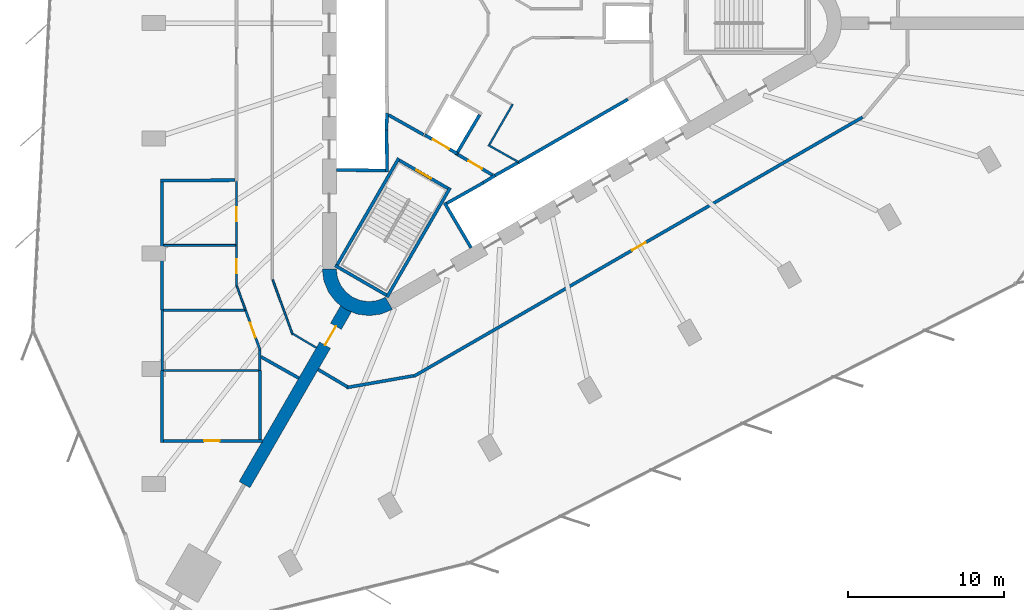
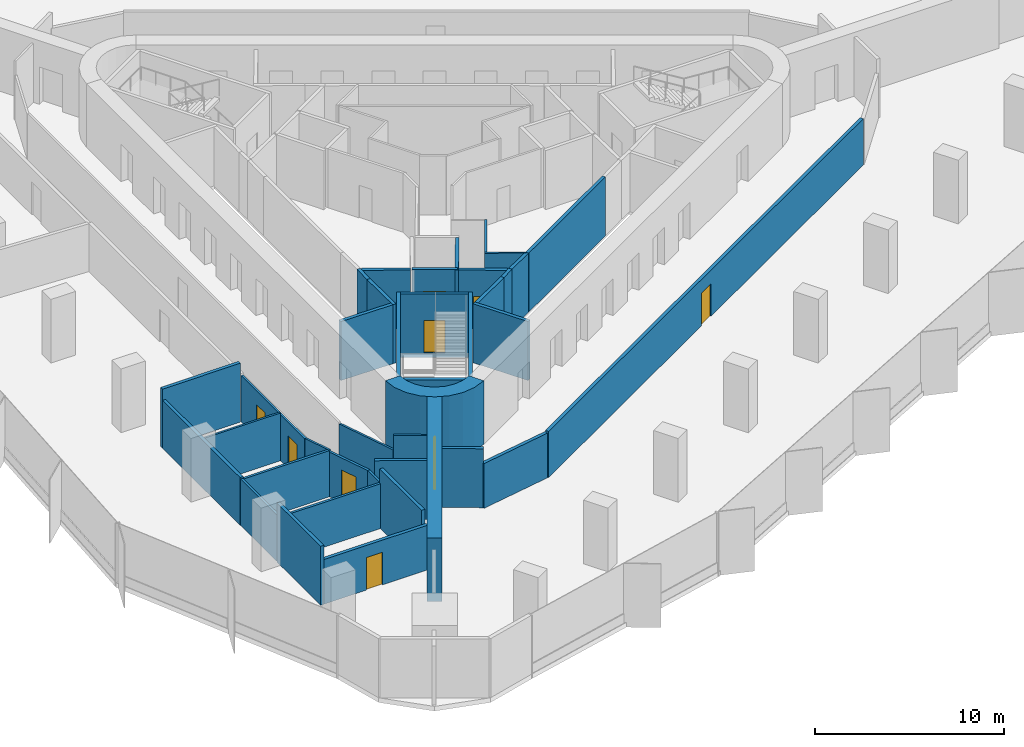
# One storey, part 9 of 14: 39 walls, 9 doors, 9 openings.
"""IFC4 building model written with IfcOpenShell, lengths in metres."""

from ifc_helpers import new_model, si_unit, direction, frame, frame_2d, origin, place, context, subcontext, project, spatial, polyline, rectangle, outline, extrude, material, layer, layer_set, type_object, element, fill, save


model = new_model("IFC4")

# Units and contexts
model_context = context("Model", 3, precision=1e-05, world=origin(), true_north=direction((0.0, 1.0)))
body_context = subcontext(model_context, "Body", "Model", "MODEL_VIEW")
ifc_project = project(units=[si_unit("LENGTHUNIT", "METRE"), si_unit("AREAUNIT", "SQUARE_METRE"), si_unit("VOLUMEUNIT", "CUBIC_METRE"), si_unit("PLANEANGLEUNIT", "RADIAN"), si_unit("MASSUNIT", "GRAM", prefix="KILO")], contexts=[model_context])

# Site, building, storey
site_placement = place(None, origin())
site = spatial("IfcSite", under=ifc_project, at=site_placement, CompositionType="ELEMENT")
building_placement = place(site_placement, origin())
building = spatial("IfcBuilding", under=site, at=building_placement, Name="Tanit Gate Tower", CompositionType="ELEMENT")
storey_placement = place(building_placement, frame((0.0, 0.0, 111.10009765625)))
storey = spatial("IfcBuildingStorey", under=building, at=storey_placement, Name="L23", CompositionType="ELEMENT", Elevation=111.10009765625)

# Wall, opening, door
ifc_material_1 = material(Name="Concrete C60/75", Category="concrete")
ifc_layer_1 = layer(ifc_material_1, 0.800048828125)
ifc_layer_set_1 = layer_set([ifc_layer_1], Name="BUTTRESS FIN 800 C60/75")
wall_type_1 = type_object("IfcWallType", Name="BUTTRESS FIN 800 C60/75", PredefinedType="SHEAR", material=ifc_layer_set_1)
wall_1_placement = place(storey_placement, frame((-10.574951171875, -18.31640625, 0.0), z_axis=(0.0, 0.0, 1.0), x_axis=(-0.500003112169, -0.866023606965, 0.0)))
wall_1 = element("IfcWall", 1, at=wall_1_placement, inside=storey, type_object=wall_type_1, Name="BUTTRESS FIN", PredefinedType="SHEAR", context=body_context, shape_type="SweptSolid", body=[
    extrude(rectangle(XDim=13.02685546875, YDim=0.800048828125, at=frame_2d((6.513427734375, 0.0))), origin(), (0.0, 0.0, 1.0), 4.099853515625),
])
opening_1_placement = place(wall_1_placement, frame((1.300048828125, 0.0, 0.0)))
opening_1 = element("IfcOpeningElement", 2, at=opening_1_placement, cuts=wall_1, Name="Opening P14-S05-F-SW-1", PredefinedType="OPENING", context=body_context, shape_type="SweptSolid", body=[
    extrude(rectangle(XDim=1.39990234375, YDim=2.39990234375, at=frame_2d((0.699951171875, 1.199951171875))), frame((0.0, 0.41015625, 0.0), z_axis=(0.0, -1.0, 0.0), x_axis=(1.0, 0.0, 0.0)), (0.0, 0.0, 1.0), 0.820068359375),
])
ifc_material_2 = material(Name="Timber door leaf", Category="wood")
door_type_1 = type_object("IfcDoorType", Name="INT-DOOR-FIN-PAIR-1400", OperationType="NOTDEFINED", PredefinedType="NOTDEFINED", material=ifc_material_2)
door_1_placement = place(opening_1_placement, origin())
door_1 = element("IfcDoor", 3, at=door_1_placement, inside=storey, type_object=door_type_1, Name="Door P14-S05-F-SW-1", OperationType="DOUBLE_DOOR_SINGLE_SWING", OverallHeight=2.39990234375, OverallWidth=1.39990234375, PredefinedType="NOTDEFINED", context=body_context, shape_type="SweptSolid", body=[
    extrude(rectangle(XDim=1.39990234375, YDim=2.39990234375, at=frame_2d((0.699951171875, 1.199951171875))), frame((0.0, 0.02490234375, 0.0), z_axis=(0.0, -1.0, 0.0), x_axis=(1.0, 0.0, 0.0)), (0.0, 0.0, 1.0), 0.050048828125),
])
fill(opening_1, door_1)

# Walls
ifc_material_3 = material(Name="Concrete C60/75", Category="concrete")
ifc_layer_2 = layer(ifc_material_3, 0.89990234375)
ifc_layer_set_2 = layer_set([ifc_layer_2], Name="CORE WALL 900 C60/75")
wall_type_2 = type_object("IfcWallType", Name="CORE WALL 900 C60/75", PredefinedType="SHEAR", material=ifc_layer_set_2)
wall_2_placement = place(storey_placement, origin())
element("IfcWall", 4, at=wall_2_placement, inside=storey, type_object=wall_type_2, Name="CORE WALL CORNER", PredefinedType="SHEAR", context=body_context, shape_type="SweptSolid", body=[
    extrude(outline(polyline([(-12.10009765625, -15.76171875), (-11.997802734375, -16.5380859375), (-11.697998046875, -17.26171875), (-11.22119140625, -17.883056640625), (-10.60009765625, -18.359619140625), (-9.87646484375, -18.659423828125), (-9.10009765625, -18.76171875), (-8.323486328125, -18.659423828125), (-7.60009765625, -18.359619140625), (-8.050048828125, -17.580322265625), (-8.556396484375, -17.7900390625), (-9.10009765625, -17.86181640625), (-9.6435546875, -17.7900390625), (-10.14990234375, -17.580322265625), (-10.5849609375, -17.24658203125), (-10.918701171875, -16.811767578125), (-11.12841796875, -16.30517578125), (-11.199951171875, -15.76171875), (-12.10009765625, -15.76171875)])), origin(), (0.0, 0.0, 1.0), 4.099853515625),
])
ifc_material_4 = material(Name="Fire-rated gypsum board partition")
ifc_layer_3 = layer(ifc_material_4, 0.199951171875)
ifc_layer_set_3 = layer_set([ifc_layer_3], Name="INT-WALL-COMPARTMENT")
wall_type_3 = type_object("IfcWallType", Name="INT-WALL-COMPARTMENT", PredefinedType="PARTITIONING", material=ifc_layer_set_3)
wall_3_placement = place(storey_placement, frame((-7.84912109375, -5.893798828125, 0.0), z_axis=(0.0, 0.0, 1.0), x_axis=(0.871340486379, -0.490678873396, 0.0)))
element("IfcWall", 5, at=wall_3_placement, inside=storey, type_object=wall_type_3, Name="Wall Compartment W063", PredefinedType="PARTITIONING", context=body_context, shape_type="SweptSolid", body=[
    extrude(rectangle(XDim=2.580810546875, YDim=0.199951171875, at=frame_2d((1.29052734375, 0.0))), origin(), (0.0, 0.0, 1.0), 3.7998046875),
])

# Wall, opening, door
wall_4_placement = place(storey_placement, frame((-3.400634765625, -8.43017578125, 0.0), z_axis=(0.0, 0.0, 1.0), x_axis=(0.860598681535, -0.509283721849, 0.0)))
wall_4 = element("IfcWall", 6, at=wall_4_placement, inside=storey, type_object=wall_type_3, Name="Wall Compartment W064", PredefinedType="PARTITIONING", context=body_context, shape_type="SweptSolid", body=[
    extrude(rectangle(XDim=2.5810546875, YDim=0.199951171875, at=frame_2d((1.29052734375, 0.0))), origin(), (0.0, 0.0, 1.0), 3.7998046875),
])
opening_2_placement = place(wall_4_placement, frame((0.79052734375, 0.0, 0.0)))
opening_2 = element("IfcOpeningElement", 7, at=opening_2_placement, cuts=wall_4, Name="Opening F10-S05-08", PredefinedType="OPENING", context=body_context, shape_type="SweptSolid", body=[
    extrude(rectangle(XDim=1.0, YDim=2.10009765625, at=frame_2d((0.5, 1.050048828125))), frame((0.0, 0.10986328125, 0.0), z_axis=(0.0, -1.0, 0.0), x_axis=(1.0, 0.0, 0.0)), (0.0, 0.0, 1.0), 0.219970703125),
])
ifc_material_5 = material(Name="Fire-rated steel door leaf", Category="steel")
door_type_2 = type_object("IfcDoorType", Name="INT-DOOR-FIRE-1000", OperationType="NOTDEFINED", PredefinedType="USERDEFINED", material=ifc_material_5)
door_2_placement = place(opening_2_placement, origin())
door_2 = element("IfcDoor", 8, at=door_2_placement, inside=storey, type_object=door_type_2, Name="Door F10-S05-08", ObjectType="FIRE DOOR", OperationType="SINGLE_SWING_LEFT", OverallHeight=2.10009765625, OverallWidth=1.0, PredefinedType="USERDEFINED", context=body_context, shape_type="SweptSolid", body=[
    extrude(rectangle(XDim=1.0, YDim=2.10009765625, at=frame_2d((0.5, 1.050048828125))), frame((0.0, 0.02490234375, 0.0), z_axis=(0.0, -1.0, 0.0), x_axis=(1.0, 0.0, 0.0)), (0.0, 0.0, 1.0), 0.050048828125),
])
fill(opening_2, door_2)

# Wall
wall_5_placement = place(storey_placement, frame((-16.02490234375, -21.402587890625, 0.0), z_axis=(0.0, 0.0, 1.0), x_axis=(0.870940841338, -0.491387882318, 0.0)))
element("IfcWall", 9, at=wall_5_placement, inside=storey, type_object=wall_type_3, Name="Wall Compartment W090", PredefinedType="PARTITIONING", context=body_context, shape_type="SweptSolid", body=[
    extrude(rectangle(XDim=2.77685546875, YDim=0.199951171875, at=frame_2d((1.388427734375, 0.0))), origin(), (0.0, 0.0, 1.0), 3.7998046875),
])

# Wall, opening, door
wall_6_placement = place(storey_placement, frame((-6.227294921875, -22.64794921875, 0.0), z_axis=(0.0, 0.0, 1.0), x_axis=(0.866024349396, 0.50000182625, 0.0)))
wall_6 = element("IfcWall", 10, at=wall_6_placement, inside=storey, type_object=wall_type_3, Name="Wall Compartment W106", PredefinedType="PARTITIONING", context=body_context, shape_type="SweptSolid", body=[
    extrude(rectangle(XDim=33.23388671875, YDim=0.199951171875, at=frame_2d((16.616943359375, 0.0))), origin(), (0.0, 0.0, 1.0), 2.97998046875),
])
opening_3_placement = place(wall_6_placement, frame((16.166748046875, 0.0, 0.0)))
opening_3 = element("IfcOpeningElement", 11, at=opening_3_placement, cuts=wall_6, Name="Opening F10-S05-23", PredefinedType="OPENING", context=body_context, shape_type="SweptSolid", body=[
    extrude(rectangle(XDim=1.0, YDim=2.10009765625, at=frame_2d((0.5, 1.050048828125))), frame((0.0, 0.10986328125, 0.0), z_axis=(0.0, -1.0, 0.0), x_axis=(1.0, 0.0, 0.0)), (0.0, 0.0, 1.0), 0.219970703125),
])
door_3_placement = place(opening_3_placement, origin())
door_3 = element("IfcDoor", 12, at=door_3_placement, inside=storey, type_object=door_type_2, Name="Door F10-S05-23", ObjectType="FIRE DOOR", OperationType="SINGLE_SWING_LEFT", OverallHeight=2.10009765625, OverallWidth=1.0, PredefinedType="USERDEFINED", context=body_context, shape_type="SweptSolid", body=[
    extrude(rectangle(XDim=1.0, YDim=2.10009765625, at=frame_2d((0.5, 1.050048828125))), frame((0.0, 0.02490234375, 0.0), z_axis=(0.0, -1.0, 0.0), x_axis=(1.0, 0.0, 0.0)), (0.0, 0.0, 1.0), 0.050048828125),
])
fill(opening_3, door_3)

# Walls
wall_7_placement = place(storey_placement, frame((-10.5537109375, -23.3759765625, 0.0), z_axis=(0.0, 0.0, 1.0), x_axis=(0.984809913529, 0.173635924323, 0.0)))
element("IfcWall", 13, at=wall_7_placement, inside=storey, type_object=wall_type_3, Name="Wall Compartment W107", PredefinedType="PARTITIONING", context=body_context, shape_type="SweptSolid", body=[
    extrude(rectangle(XDim=4.38134765625, YDim=0.199951171875, at=frame_2d((2.190673828125, 0.0))), origin(), (0.0, 0.0, 1.0), 2.8798828125),
])
wall_8_placement = place(storey_placement, frame((-12.364013671875, -22.215087890625, 0.0), z_axis=(0.0, 0.0, 1.0), x_axis=(0.860324145196, -0.509747354278, 0.0)))
element("IfcWall", 14, at=wall_8_placement, inside=storey, type_object=wall_type_3, Name="Wall Compartment W108", PredefinedType="PARTITIONING", context=body_context, shape_type="SweptSolid", body=[
    extrude(rectangle(XDim=2.188720703125, YDim=0.199951171875, at=frame_2d((1.09423828125, 0.0))), origin(), (0.0, 0.0, 1.0), 3.7998046875),
])
wall_9_placement = place(storey_placement, frame((-17.699951171875, -10.070556640625, 0.0), z_axis=(0.0, 0.0, 1.0), x_axis=(-0.999980184405, -0.006295299554, 0.0)))
element("IfcWall", 15, at=wall_9_placement, inside=storey, type_object=wall_type_3, Name="Wall Compartment W112", PredefinedType="PARTITIONING", context=body_context, shape_type="SweptSolid", body=[
    extrude(rectangle(XDim=4.77001953125, YDim=0.199951171875, at=frame_2d((2.385009765625, 0.0))), origin(), (0.0, 0.0, 1.0), 3.7998046875),
])
wall_10_placement = place(storey_placement, frame((-22.3701171875, -26.889892578125, 0.0), z_axis=(0.0, 0.0, 1.0), x_axis=(0.0, 1.0, 0.0)))
element("IfcWall", 16, at=wall_10_placement, inside=storey, type_object=wall_type_3, Name="Wall Compartment W117", PredefinedType="PARTITIONING", context=body_context, shape_type="SweptSolid", body=[
    extrude(rectangle(XDim=4.622314453125, YDim=0.199951171875, at=frame_2d((2.31103515625, 0.0))), origin(), (0.0, 0.0, 1.0), 3.7998046875),
])
wall_11_placement = place(storey_placement, frame((-22.3701171875, -18.3955078125, 0.0), z_axis=(0.0, 0.0, 1.0), x_axis=(0.0, 1.0, 0.0)))
element("IfcWall", 17, at=wall_11_placement, inside=storey, type_object=wall_type_3, Name="Wall Compartment W114", PredefinedType="PARTITIONING", context=body_context, shape_type="SweptSolid", body=[
    extrude(rectangle(XDim=8.195556640625, YDim=0.199951171875, at=frame_2d((4.09765625, 0.0))), origin(), (0.0, 0.0, 1.0), 3.079833984375),
])

# Wall, opening, door
wall_12_placement = place(storey_placement, frame((-22.27001953125, -26.7900390625, 0.0), z_axis=(0.0, 0.0, 1.0), x_axis=(1.0, 0.0, 0.0)))
wall_12 = element("IfcWall", 18, at=wall_12_placement, inside=storey, type_object=wall_type_3, Name="Wall Compartment W118", PredefinedType="PARTITIONING", context=body_context, shape_type="SweptSolid", body=[
    extrude(rectangle(XDim=6.3408203125, YDim=0.199951171875, at=frame_2d((3.17041015625, 0.0))), origin(), (0.0, 0.0, 1.0), 2.8798828125),
])
opening_4_placement = place(wall_12_placement, frame((2.5849609375, 0.0, 0.0)))
opening_4 = element("IfcOpeningElement", 19, at=opening_4_placement, cuts=wall_12, Name="Opening F10-S05-19", PredefinedType="OPENING", context=body_context, shape_type="SweptSolid", body=[
    extrude(rectangle(XDim=1.0, YDim=2.10009765625, at=frame_2d((0.5, 1.050048828125))), frame((0.0, 0.10986328125, 0.0), z_axis=(0.0, -1.0, 0.0), x_axis=(1.0, 0.0, 0.0)), (0.0, 0.0, 1.0), 0.219970703125),
])
door_4_placement = place(opening_4_placement, origin())
door_4 = element("IfcDoor", 20, at=door_4_placement, inside=storey, type_object=door_type_2, Name="Door F10-S05-19", ObjectType="FIRE DOOR", OperationType="SINGLE_SWING_LEFT", OverallHeight=2.10009765625, OverallWidth=1.0, PredefinedType="USERDEFINED", context=body_context, shape_type="SweptSolid", body=[
    extrude(rectangle(XDim=1.0, YDim=2.10009765625, at=frame_2d((0.5, 1.050048828125))), frame((0.0, 0.02490234375, 0.0), z_axis=(0.0, -1.0, 0.0), x_axis=(1.0, 0.0, 0.0)), (0.0, 0.0, 1.0), 0.050048828125),
])
fill(opening_4, door_4)

# Walls
wall_13_placement = place(storey_placement, frame((-16.10009765625, -26.68994140625, 0.0), z_axis=(0.0, 0.0, 1.0), x_axis=(0.0, 1.0, 0.0)))
element("IfcWall", 21, at=wall_13_placement, inside=storey, type_object=wall_type_3, Name="Wall Compartment W119", PredefinedType="PARTITIONING", context=body_context, shape_type="SweptSolid", body=[
    extrude(rectangle(XDim=4.42236328125, YDim=0.199951171875, at=frame_2d((2.211181640625, 0.0))), origin(), (0.0, 0.0, 1.0), 3.7998046875),
])
ifc_material_6 = material(Name="Gypsum board partition")
ifc_layer_4 = layer(ifc_material_6, 0.1201171875)
ifc_layer_set_4 = layer_set([ifc_layer_4], Name="INT-WALL-PARTITION")
wall_type_4 = type_object("IfcWallType", Name="INT-WALL-PARTITION", PredefinedType="PARTITIONING", material=ifc_layer_set_4)
wall_14_placement = place(storey_placement, frame((-1.464111328125, -7.81591796875, 0.0), z_axis=(0.0, 0.0, 1.0), x_axis=(0.871880202732, -0.489719217597, 0.0)))
element("IfcWall", 22, at=wall_14_placement, inside=storey, type_object=wall_type_4, Name="Wall Partition W068", PredefinedType="PARTITIONING", context=body_context, shape_type="SweptSolid", body=[
    extrude(rectangle(XDim=2.224365234375, YDim=0.1201171875, at=frame_2d((1.1123046875, 0.0))), origin(), (0.0, 0.0, 1.0), 3.7998046875),
])
wall_15_placement = place(storey_placement, frame((0.1181640625, -5.195068359375, 0.0), z_axis=(0.0, 0.0, 1.0), x_axis=(-0.499990139034, -0.866031096941, 0.0)))
element("IfcWall", 23, at=wall_15_placement, inside=storey, type_object=wall_type_4, Name="Wall Partition W069", PredefinedType="PARTITIONING", context=body_context, shape_type="SweptSolid", body=[
    extrude(rectangle(XDim=3.0, YDim=0.1201171875, at=frame_2d((1.5, 0.0))), origin(), (0.0, 0.0, 1.0), 3.7998046875),
])
wall_16_placement = place(storey_placement, frame((-15.279541015625, -16.461669921875, 0.0), z_axis=(0.0, 0.0, 1.0), x_axis=(0.34206888523, -0.939674878752, 0.0)))
element("IfcWall", 24, at=wall_16_placement, inside=storey, type_object=wall_type_4, Name="Wall Partition W087", PredefinedType="PARTITIONING", context=body_context, shape_type="SweptSolid", body=[
    extrude(rectangle(XDim=3.72998046875, YDim=0.1201171875, at=frame_2d((1.864990234375, 0.0))), origin(), (0.0, 0.0, 1.0), 2.8798828125),
])
wall_17_placement = place(storey_placement, frame((-14.005126953125, -19.91162109375, 0.0), z_axis=(0.0, 0.0, 1.0), x_axis=(0.859128591272, -0.511759771435, 0.0)))
element("IfcWall", 25, at=wall_17_placement, inside=storey, type_object=wall_type_4, Name="Wall Partition W088", PredefinedType="PARTITIONING", context=body_context, shape_type="SweptSolid", body=[
    extrude(rectangle(XDim=1.773193359375, YDim=0.1201171875, at=frame_2d((0.88671875, 0.0))), origin(), (0.0, 0.0, 1.0), 3.7998046875),
])

# Wall, openings, doors
wall_18_placement = place(storey_placement, frame((-17.60009765625, -10.169921875, 0.0), z_axis=(0.0, 0.0, 1.0), x_axis=(0.0, -1.0, 0.0)))
wall_18 = element("IfcWall", 26, at=wall_18_placement, inside=storey, type_object=wall_type_4, Name="Wall Partition W095", PredefinedType="PARTITIONING", context=body_context, shape_type="SweptSolid", body=[
    extrude(rectangle(XDim=6.700927734375, YDim=0.1201171875, at=frame_2d((3.3505859375, 0.0))), origin(), (0.0, 0.0, 1.0), 2.97998046875),
])
opening_5_placement = place(wall_18_placement, frame((1.623291015625, 0.0, 0.0)))
opening_5 = element("IfcOpeningElement", 27, at=opening_5_placement, cuts=wall_18, Name="Opening D09-S05-16", PredefinedType="OPENING", context=body_context, shape_type="SweptSolid", body=[
    extrude(rectangle(XDim=0.89990234375, YDim=2.10009765625, at=frame_2d((0.449951171875, 1.050048828125))), frame((0.0, 0.070068359375, 0.0), z_axis=(0.0, -1.0, 0.0), x_axis=(1.0, 0.0, 0.0)), (0.0, 0.0, 1.0), 0.14013671875),
])
opening_6_placement = place(wall_18_placement, frame((4.9736328125, 0.0, 0.0)))
opening_6 = element("IfcOpeningElement", 28, at=opening_6_placement, cuts=wall_18, Name="Opening D09-S05-17", PredefinedType="OPENING", context=body_context, shape_type="SweptSolid", body=[
    extrude(rectangle(XDim=0.89990234375, YDim=2.10009765625, at=frame_2d((0.449951171875, 1.050048828125))), frame((0.0, 0.070068359375, 0.0), z_axis=(0.0, -1.0, 0.0), x_axis=(1.0, 0.0, 0.0)), (0.0, 0.0, 1.0), 0.14013671875),
])
ifc_material_7 = material(Name="Timber door leaf", Category="wood")
door_type_3 = type_object("IfcDoorType", Name="INT-DOOR-SINGLE-900", OperationType="NOTDEFINED", PredefinedType="NOTDEFINED", material=ifc_material_7)
door_5_placement = place(opening_5_placement, origin())
door_5 = element("IfcDoor", 29, at=door_5_placement, inside=storey, type_object=door_type_3, Name="Door D09-S05-16", OperationType="SINGLE_SWING_LEFT", OverallHeight=2.10009765625, OverallWidth=0.89990234375, PredefinedType="NOTDEFINED", context=body_context, shape_type="SweptSolid", body=[
    extrude(rectangle(XDim=0.89990234375, YDim=2.10009765625, at=frame_2d((0.449951171875, 1.050048828125))), frame((0.0, 0.02490234375, 0.0), z_axis=(0.0, -1.0, 0.0), x_axis=(1.0, 0.0, 0.0)), (0.0, 0.0, 1.0), 0.050048828125),
])
fill(opening_5, door_5)
door_6_placement = place(opening_6_placement, origin())
door_6 = element("IfcDoor", 30, at=door_6_placement, inside=storey, type_object=door_type_3, Name="Door D09-S05-17", OperationType="SINGLE_SWING_RIGHT", OverallHeight=2.10009765625, OverallWidth=0.89990234375, PredefinedType="NOTDEFINED", context=body_context, shape_type="SweptSolid", body=[
    extrude(rectangle(XDim=0.89990234375, YDim=2.10009765625, at=frame_2d((0.449951171875, 1.050048828125))), frame((0.0, 0.02490234375, 0.0), z_axis=(0.0, -1.0, 0.0), x_axis=(1.0, 0.0, 0.0)), (0.0, 0.0, 1.0), 0.050048828125),
])
fill(opening_6, door_6)

# Walls
wall_19_placement = place(storey_placement, frame((-17.57958984375, -16.8671875, 0.0), z_axis=(0.0, 0.0, 1.0), x_axis=(0.342113754223, -0.939658543925, 0.0)))
element("IfcWall", 31, at=wall_19_placement, inside=storey, type_object=wall_type_4, Name="Wall Partition W096", PredefinedType="PARTITIONING", context=body_context, shape_type="SweptSolid", body=[
    extrude(rectangle(XDim=1.63916015625, YDim=0.1201171875, at=frame_2d((0.819580078125, 0.0))), origin(), (0.0, 0.0, 1.0), 2.97998046875),
])
wall_20_placement = place(storey_placement, frame((-17.659912109375, -14.25634765625, 0.0), z_axis=(0.0, 0.0, 1.0), x_axis=(-1.0, 0.0, 0.0)))
element("IfcWall", 32, at=wall_20_placement, inside=storey, type_object=wall_type_4, Name="Wall Partition W124", PredefinedType="PARTITIONING", context=body_context, shape_type="SweptSolid", body=[
    extrude(rectangle(XDim=4.610107421875, YDim=0.1201171875, at=frame_2d((2.30517578125, 0.0))), origin(), (0.0, 0.0, 1.0), 3.079833984375),
])

# Wall, opening, door
ifc_material_8 = material(Name="Fire-rated gypsum board partition")
ifc_layer_5 = layer(ifc_material_8, 0.14990234375)
ifc_layer_set_5 = layer_set([ifc_layer_5], Name="INT-WALL-RISER")
wall_type_5 = type_object("IfcWallType", Name="INT-WALL-RISER", PredefinedType="PLUMBINGWALL", material=ifc_layer_set_5)
wall_21_placement = place(storey_placement, frame((-17.018798828125, -18.407470703125, 0.0), z_axis=(0.0, 0.0, 1.0), x_axis=(0.341987834354, -0.939704379661, 0.0)))
wall_21 = element("IfcWall", 33, at=wall_21_placement, inside=storey, type_object=wall_type_5, Name="Wall Riser W098", PredefinedType="PLUMBINGWALL", context=body_context, shape_type="SweptSolid", body=[
    extrude(rectangle(XDim=2.72265625, YDim=0.14990234375, at=frame_2d((1.361328125, 0.0))), origin(), (0.0, 0.0, 1.0), 2.8798828125),
])
opening_7_placement = place(wall_21_placement, frame((0.861572265625, 0.0, 0.0)))
opening_7 = element("IfcOpeningElement", 34, at=opening_7_placement, cuts=wall_21, Name="Opening F10-S05-18", PredefinedType="OPENING", context=body_context, shape_type="SweptSolid", body=[
    extrude(rectangle(XDim=1.0, YDim=2.10009765625, at=frame_2d((0.5, 1.050048828125))), frame((0.0, 0.0849609375, 0.0), z_axis=(0.0, -1.0, 0.0), x_axis=(1.0, 0.0, 0.0)), (0.0, 0.0, 1.0), 0.169921875),
])
door_7_placement = place(opening_7_placement, origin())
door_7 = element("IfcDoor", 35, at=door_7_placement, inside=storey, type_object=door_type_2, Name="Door F10-S05-18", ObjectType="FIRE DOOR", OperationType="SINGLE_SWING_RIGHT", OverallHeight=2.10009765625, OverallWidth=1.0, PredefinedType="USERDEFINED", context=body_context, shape_type="SweptSolid", body=[
    extrude(rectangle(XDim=1.0, YDim=2.10009765625, at=frame_2d((0.5, 1.050048828125))), frame((0.0, 0.02490234375, 0.0), z_axis=(0.0, -1.0, 0.0), x_axis=(1.0, 0.0, 0.0)), (0.0, 0.0, 1.0), 0.050048828125),
])
fill(opening_7, door_7)

# Walls
wall_22_placement = place(storey_placement, frame((-22.3701171875, -22.267578125, 0.0), z_axis=(0.0, 0.0, 1.0), x_axis=(0.0, 1.0, 0.0)))
element("IfcWall", 36, at=wall_22_placement, inside=storey, type_object=wall_type_5, Name="Wall Riser W115", PredefinedType="PLUMBINGWALL", context=body_context, shape_type="SweptSolid", body=[
    extrude(rectangle(XDim=3.8720703125, YDim=0.14990234375, at=frame_2d((1.93603515625, 0.0))), origin(), (0.0, 0.0, 1.0), 2.97998046875),
])
wall_23_placement = place(storey_placement, frame((-16.10009765625, -22.267578125, 0.0), z_axis=(0.0, 0.0, 1.0), x_axis=(0.0, 1.0, 0.0)))
element("IfcWall", 37, at=wall_23_placement, inside=storey, type_object=wall_type_5, Name="Wall Riser W116", PredefinedType="PLUMBINGWALL", context=body_context, shape_type="SweptSolid", body=[
    extrude(rectangle(XDim=1.320068359375, YDim=0.14990234375, at=frame_2d((0.66015625, 0.0))), origin(), (0.0, 0.0, 1.0), 2.8798828125),
])
wall_24_placement = place(storey_placement, frame((-17.084228515625, -18.403076171875, 0.0), z_axis=(0.0, 0.0, 1.0), x_axis=(-1.0, 0.0, 0.0)))
element("IfcWall", 38, at=wall_24_placement, inside=storey, type_object=wall_type_5, Name="Wall Riser W125", PredefinedType="PLUMBINGWALL", context=body_context, shape_type="SweptSolid", body=[
    extrude(rectangle(XDim=5.185791015625, YDim=0.14990234375, at=frame_2d((2.5927734375, 0.0))), origin(), (0.0, 0.0, 1.0), 2.97998046875),
])
wall_25_placement = place(storey_placement, frame((-16.175048828125, -22.27490234375, 0.0), z_axis=(0.0, 0.0, 1.0), x_axis=(-1.0, 0.0, 0.0)))
element("IfcWall", 39, at=wall_25_placement, inside=storey, type_object=wall_type_5, Name="Wall Riser W126", PredefinedType="PLUMBINGWALL", context=body_context, shape_type="SweptSolid", body=[
    extrude(rectangle(XDim=6.119873046875, YDim=0.14990234375, at=frame_2d((3.06005859375, 0.0))), origin(), (0.0, 0.0, 1.0), 2.8798828125),
])
ifc_material_9 = material(Name="Gypsum shaft wall system")
ifc_layer_6 = layer(ifc_material_9, 0.199951171875)
ifc_layer_set_6 = layer_set([ifc_layer_6], Name="INT-WALL-SHAFT")
wall_type_6 = type_object("IfcWallType", Name="INT-WALL-SHAFT", PredefinedType="PLUMBINGWALL", material=ifc_layer_set_6)
wall_26_placement = place(storey_placement, frame((-7.949951171875, -5.7724609375, 0.0), z_axis=(0.0, 0.0, 1.0), x_axis=(-0.030803413295, -0.999525462272, 0.0)))
element("IfcWall", 40, at=wall_26_placement, inside=storey, type_object=wall_type_6, Name="Wall Shaft W009", PredefinedType="PLUMBINGWALL", context=body_context, shape_type="SweptSolid", body=[
    extrude(rectangle(XDim=1.077880859375, YDim=0.199951171875, at=frame_2d((0.5390625, 0.0))), origin(), (0.0, 0.0, 1.0), 3.7998046875),
])
wall_27_placement = place(storey_placement, frame((-7.97900390625, -6.85009765625, 0.0), z_axis=(0.0, 0.0, 1.0), x_axis=(0.011121475088, -0.999938154483, 0.0)))
element("IfcWall", 41, at=wall_27_placement, inside=storey, type_object=wall_type_6, Name="Wall Shaft W011", PredefinedType="PLUMBINGWALL", context=body_context, shape_type="SweptSolid", body=[
    extrude(rectangle(XDim=2.7001953125, YDim=0.199951171875, at=frame_2d((1.35009765625, 0.0))), origin(), (0.0, 0.0, 1.0), 3.7998046875),
])
wall_28_placement = place(storey_placement, frame((-8.050048828125, -9.448974609375, 0.0), z_axis=(0.0, 0.0, 1.0), x_axis=(-0.999957467379, 0.009222983926, 0.0)))
element("IfcWall", 42, at=wall_28_placement, inside=storey, type_object=wall_type_6, Name="Wall Shaft W012", PredefinedType="PLUMBINGWALL", context=body_context, shape_type="SweptSolid", body=[
    extrude(rectangle(XDim=3.150146484375, YDim=0.199951171875, at=frame_2d((1.5751953125, 0.0))), origin(), (0.0, 0.0, 1.0), 3.7998046875),
])
wall_29_placement = place(storey_placement, frame((0.482666015625, -8.935791015625, 0.0), z_axis=(0.0, 0.0, 1.0), x_axis=(0.866030989016, 0.499990325971, 0.0)))
element("IfcWall", 43, at=wall_29_placement, inside=storey, type_object=wall_type_6, Name="Wall Shaft W031", PredefinedType="PLUMBINGWALL", context=body_context, shape_type="SweptSolid", body=[
    extrude(rectangle(XDim=8.099853515625, YDim=0.199951171875, at=frame_2d((4.0498046875, 0.0))), origin(), (0.0, 0.0, 1.0), 3.7998046875),
])
wall_30_placement = place(storey_placement, frame((-2.557861328125, -14.409423828125, 0.0), z_axis=(0.0, 0.0, 1.0), x_axis=(-0.507997497166, 0.861358544901, 0.0)))
element("IfcWall", 44, at=wall_30_placement, inside=storey, type_object=wall_type_6, Name="Wall Shaft W027", PredefinedType="PLUMBINGWALL", context=body_context, shape_type="SweptSolid", body=[
    extrude(rectangle(XDim=3.350341796875, YDim=0.199951171875, at=frame_2d((1.67529296875, 0.0))), origin(), (0.0, 0.0, 1.0), 3.7998046875),
])
wall_31_placement = place(storey_placement, frame((-1.7685546875, -10.23681640625, 0.0), z_axis=(0.0, 0.0, 1.0), x_axis=(-0.871534483978, -0.490334215854, 0.0)))
element("IfcWall", 45, at=wall_31_placement, inside=storey, type_object=wall_type_6, Name="Wall Shaft W028", PredefinedType="PLUMBINGWALL", context=body_context, shape_type="SweptSolid", body=[
    extrude(rectangle(XDim=2.7001953125, YDim=0.199951171875, at=frame_2d((1.35009765625, 0.0))), origin(), (0.0, 0.0, 1.0), 3.7998046875),
])
wall_32_placement = place(storey_placement, frame((-1.02392578125, -9.77099609375, 0.0), z_axis=(0.0, 0.0, 1.0), x_axis=(-0.850348075135, -0.526220629693, 0.0)))
element("IfcWall", 46, at=wall_32_placement, inside=storey, type_object=wall_type_6, Name="Wall Shaft W029", PredefinedType="PLUMBINGWALL", context=body_context, shape_type="SweptSolid", body=[
    extrude(rectangle(XDim=0.878173828125, YDim=0.199951171875, at=frame_2d((0.43896484375, 0.0))), origin(), (0.0, 0.0, 1.0), 3.7998046875),
])
wall_33_placement = place(storey_placement, frame((-1.13037109375, -9.83154296875, 0.0), z_axis=(0.0, 0.0, 1.0), x_axis=(0.871988740738, 0.489525929882, 0.0)))
element("IfcWall", 47, at=wall_33_placement, inside=storey, type_object=wall_type_6, Name="Wall Shaft W030", PredefinedType="PLUMBINGWALL", context=body_context, shape_type="SweptSolid", body=[
    extrude(rectangle(XDim=1.8447265625, YDim=0.199951171875, at=frame_2d((0.92236328125, 0.0))), origin(), (0.0, 0.0, 1.0), 3.7998046875),
])

# Wall, opening, door
wall_34_placement = place(storey_placement, frame((-3.44580078125, -8.3681640625, 0.0), z_axis=(0.0, 0.0, 1.0), x_axis=(-0.866024647952, 0.500001309137, 0.0)))
wall_34 = element("IfcWall", 48, at=wall_34_placement, inside=storey, type_object=wall_type_6, Name="Wall Shaft W053", PredefinedType="PLUMBINGWALL", context=body_context, shape_type="SweptSolid", body=[
    extrude(rectangle(XDim=2.39990234375, YDim=0.199951171875, at=frame_2d((1.199951171875, 0.0))), origin(), (0.0, 0.0, 1.0), 3.7998046875),
])
opening_8_placement = place(wall_34_placement, frame((0.60009765625, 0.0, 0.0)))
opening_8 = element("IfcOpeningElement", 49, at=opening_8_placement, cuts=wall_34, Name="Opening LDFL3-L23", PredefinedType="OPENING", context=body_context, shape_type="SweptSolid", body=[
    extrude(rectangle(XDim=1.199951171875, YDim=2.39990234375, at=frame_2d((0.60009765625, 1.199951171875))), frame((0.0, 0.10986328125, 0.0), z_axis=(0.0, -1.0, 0.0), x_axis=(1.0, 0.0, 0.0)), (0.0, 0.0, 1.0), 0.219970703125),
])
ifc_material_10 = material(Name="Stainless steel sliding door leaf", Category="steel")
door_type_4 = type_object("IfcDoorType", Name="INT-DOOR-LANDING-1200", OperationType="NOTDEFINED", PredefinedType="USERDEFINED", material=ifc_material_10)
door_8_placement = place(opening_8_placement, origin())
door_8 = element("IfcDoor", 50, at=door_8_placement, inside=storey, type_object=door_type_4, Name="Door LDFL3-L23", ObjectType="LANDING DOOR", OperationType="SLIDING_TO_LEFT", OverallHeight=2.39990234375, OverallWidth=1.199951171875, PredefinedType="USERDEFINED", context=body_context, shape_type="SweptSolid", body=[
    extrude(rectangle(XDim=1.199951171875, YDim=2.39990234375, at=frame_2d((0.60009765625, 1.199951171875))), frame((0.0, 0.02490234375, 0.0), z_axis=(0.0, -1.0, 0.0), x_axis=(1.0, 0.0, 0.0)), (0.0, 0.0, 1.0), 0.050048828125),
])
fill(opening_8, door_8)

# Walls
wall_35_placement = place(storey_placement, frame((-2.01171875, -5.88232421875, 0.0), z_axis=(0.0, 0.0, 1.0), x_axis=(-0.508619639323, -0.860991325447, 0.0)))
element("IfcWall", 51, at=wall_35_placement, inside=storey, type_object=wall_type_6, Name="Wall Shaft W056", PredefinedType="PLUMBINGWALL", context=body_context, shape_type="SweptSolid", body=[
    extrude(rectangle(XDim=3.0, YDim=0.199951171875, at=frame_2d((1.5, 0.0))), origin(), (0.0, 0.0, 1.0), 3.7998046875),
])
ifc_material_11 = material(Name="Concrete C40/50", Category="concrete")
ifc_layer_7 = layer(ifc_material_11, 0.199951171875)
ifc_layer_set_7 = layer_set([ifc_layer_7], Name="INT-WALL-STAIR")
wall_type_7 = type_object("IfcWallType", Name="INT-WALL-STAIR", PredefinedType="SHEAR", material=ifc_layer_set_7)
wall_36_placement = place(storey_placement, frame((-3.904541015625, -10.56298828125, -0.300048828125), z_axis=(0.0, 0.0, 1.0), x_axis=(-0.500012932018, -0.866017937352, 0.0)))
element("IfcWall", 52, at=wall_36_placement, inside=storey, type_object=wall_type_7, Name="Wall Stair W049", PredefinedType="SHEAR", context=body_context, shape_type="SweptSolid", body=[
    extrude(rectangle(XDim=8.099853515625, YDim=0.199951171875, at=frame_2d((4.0498046875, 0.0))), origin(), (0.0, 0.0, 1.0), 4.099853515625),
])
wall_37_placement = place(storey_placement, frame((-11.281982421875, -15.541015625, -0.300048828125), z_axis=(0.0, 0.0, 1.0), x_axis=(0.866000483506, -0.500043160704, 0.0)))
element("IfcWall", 53, at=wall_37_placement, inside=storey, type_object=wall_type_7, Name="Wall Stair W050", PredefinedType="SHEAR", context=body_context, shape_type="SweptSolid", body=[
    extrude(rectangle(XDim=3.800048828125, YDim=0.199951171875, at=frame_2d((1.89990234375, 0.0))), origin(), (0.0, 0.0, 1.0), 4.099853515625),
])
wall_38_placement = place(storey_placement, frame((-7.195556640625, -8.662841796875, -0.300048828125), z_axis=(0.0, 0.0, 1.0), x_axis=(-0.499997992926, -0.866026562566, 0.0)))
element("IfcWall", 54, at=wall_38_placement, inside=storey, type_object=wall_type_7, Name="Wall Stair W051", PredefinedType="SHEAR", context=body_context, shape_type="SweptSolid", body=[
    extrude(rectangle(XDim=7.89990234375, YDim=0.199951171875, at=frame_2d((3.949951171875, 0.0))), origin(), (0.0, 0.0, 1.0), 4.099853515625),
])

# Wall, opening, door
wall_39_placement = place(storey_placement, frame((-4.041259765625, -10.599365234375, -0.300048828125), z_axis=(0.0, 0.0, 1.0), x_axis=(-0.866047807691, 0.499961193289, 0.0)))
wall_39 = element("IfcWall", 55, at=wall_39_placement, inside=storey, type_object=wall_type_7, Name="Wall Stair W052", PredefinedType="SHEAR", context=body_context, shape_type="SweptSolid", body=[
    extrude(rectangle(XDim=3.599853515625, YDim=0.199951171875, at=frame_2d((1.7998046875, 0.0))), origin(), (0.0, 0.0, 1.0), 4.099853515625),
])
opening_9_placement = place(wall_39_placement, frame((1.25, 0.0, 0.300048828125)))
opening_9 = element("IfcOpeningElement", 56, at=opening_9_placement, cuts=wall_39, Name="Opening S11-S05-07", PredefinedType="OPENING", context=body_context, shape_type="SweptSolid", body=[
    extrude(rectangle(XDim=1.10009765625, YDim=2.10009765625, at=frame_2d((0.550048828125, 1.050048828125))), frame((0.0, 0.10986328125, 0.0), z_axis=(0.0, -1.0, 0.0), x_axis=(1.0, 0.0, 0.0)), (0.0, 0.0, 1.0), 0.219970703125),
])
ifc_material_12 = material(Name="Timber door leaf", Category="wood")
door_type_5 = type_object("IfcDoorType", Name="INT-DOOR-STAIR-1100", OperationType="NOTDEFINED", PredefinedType="USERDEFINED", material=ifc_material_12)
door_9_placement = place(opening_9_placement, origin())
door_9 = element("IfcDoor", 57, at=door_9_placement, inside=storey, type_object=door_type_5, Name="Door S11-S05-07", ObjectType="FIRE DOOR", OperationType="SINGLE_SWING_LEFT", OverallHeight=2.10009765625, OverallWidth=1.10009765625, PredefinedType="USERDEFINED", context=body_context, shape_type="SweptSolid", body=[
    extrude(rectangle(XDim=1.10009765625, YDim=2.10009765625, at=frame_2d((0.550048828125, 1.050048828125))), frame((0.0, 0.02490234375, 0.0), z_axis=(0.0, -1.0, 0.0), x_axis=(1.0, 0.0, 0.0)), (0.0, 0.0, 1.0), 0.050048828125),
])
fill(opening_9, door_9)

save(model, "model.ifc")
